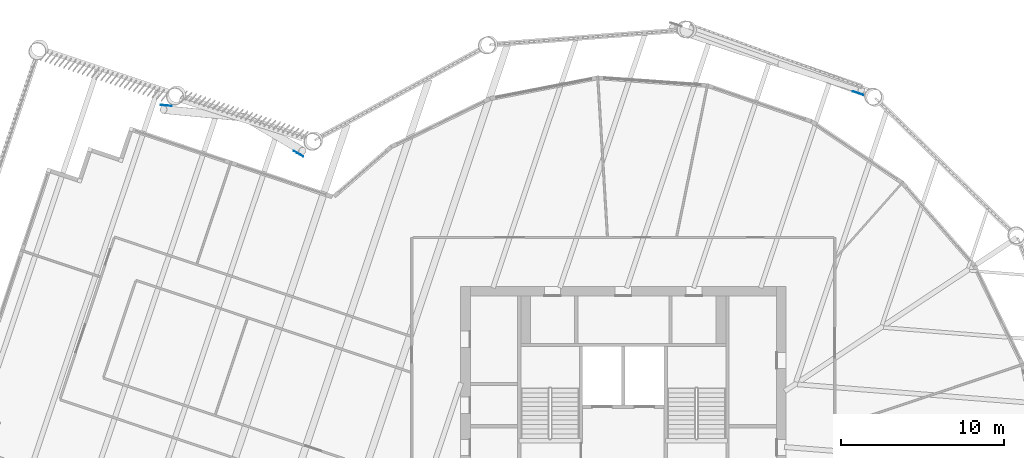
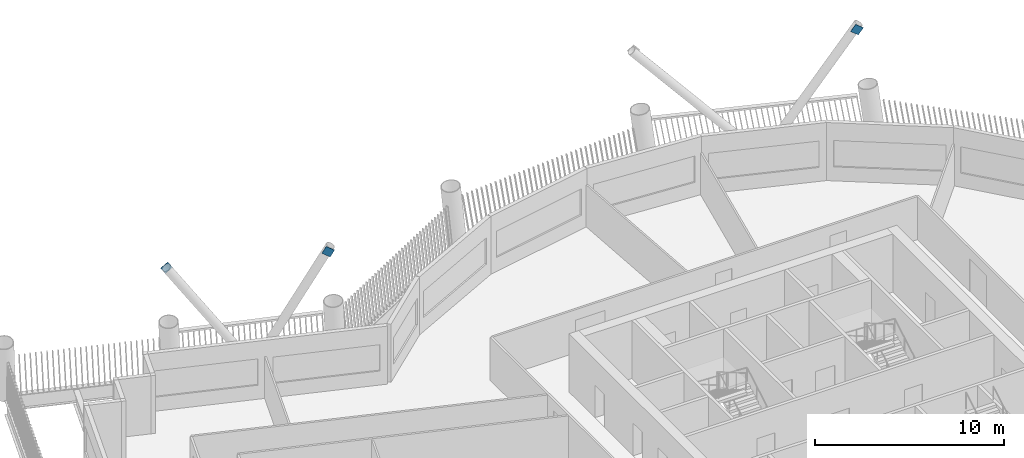
# One storey, part 13 of 21: 3 discrete accessories.
"""IFC4 building model written with IfcOpenShell, lengths in metres."""

from ifc_helpers import new_model, si_unit, direction, frame, origin, origin_2d, place, context, subcontext, project, spatial, rectangle, extrude, material, material_profile, profile_set, type_object, element, save


model = new_model("IFC4")

# Units and contexts
model_context = context("Model", 3, precision=1e-05, world=origin(), true_north=direction((0.0, 1.0)))
body_context = subcontext(model_context, "Body", "Model", "MODEL_VIEW")
ifc_project = project(units=[si_unit("LENGTHUNIT", "METRE"), si_unit("AREAUNIT", "SQUARE_METRE"), si_unit("VOLUMEUNIT", "CUBIC_METRE"), si_unit("PLANEANGLEUNIT", "RADIAN"), si_unit("MASSUNIT", "GRAM", prefix="KILO")], contexts=[model_context])

# Site, building, storey
site_placement = place(None, origin())
site = spatial("IfcSite", under=ifc_project, at=site_placement, CompositionType="ELEMENT")
building_placement = place(site_placement, origin())
building = spatial("IfcBuilding", under=site, at=building_placement, Name="Tarsis Ring Headquarters", CompositionType="ELEMENT")
storey_placement = place(building_placement, frame((0.0, 0.0, 208.199951171875)))
storey = spatial("IfcBuildingStorey", under=building, at=storey_placement, Name="L48", CompositionType="ELEMENT", Elevation=208.199951171875)

# Discrete accessories
ifc_material = material(Name="Structural steel S355", Category="steel")
ifc_material_profile = material_profile(ifc_material, rectangle(XDim=0.02490234375, YDim=0.5, at=origin_2d()), Name="PL 25x500")
ifc_profile_set = profile_set([ifc_material_profile], Name="Structural steel S355")
discrete_accessory_type = type_object("IfcDiscreteAccessoryType", Name="Gusset plate Exo brace 25", PredefinedType="BRACKET", material=ifc_profile_set)
for number, where, z_axis, x_axis, name in (
    (1, (14.55517578125, 24.837646484375, 7.800048828125), (-0.525842675376, 0.169910168088, -0.833438669329), (-0.307467406935, -0.951558612841, 0.0), "Gusset plate GP5"),
    (2, (-28.2314453125, 24.132568359375, 7.800048828125), (0.541624917805, -0.051280988611, -0.839054651748), (0.094258355146, 0.995547770067, 0.0), "Gusset plate GP5"),
    (3, (-19.861083984375, 21.094482421875, 7.800048828125), (-0.397406839404, 0.234831314193, -0.887086274197), (-0.508729312127, -0.860926528214, 0.0), "Gusset plate GP5"),
):
    element("IfcDiscreteAccessory", number, at=place(storey_placement, frame(where, z_axis=z_axis, x_axis=x_axis)), inside=storey, type_object=discrete_accessory_type, Name=name, PredefinedType="BRACKET", context=body_context, shape_type="SweptSolid", body=[
        extrude(rectangle(XDim=0.02490234375, YDim=0.5, at=origin_2d()), origin(), (0.0, 0.0, 1.0), 0.5),
    ])

save(model, "model.ifc")
